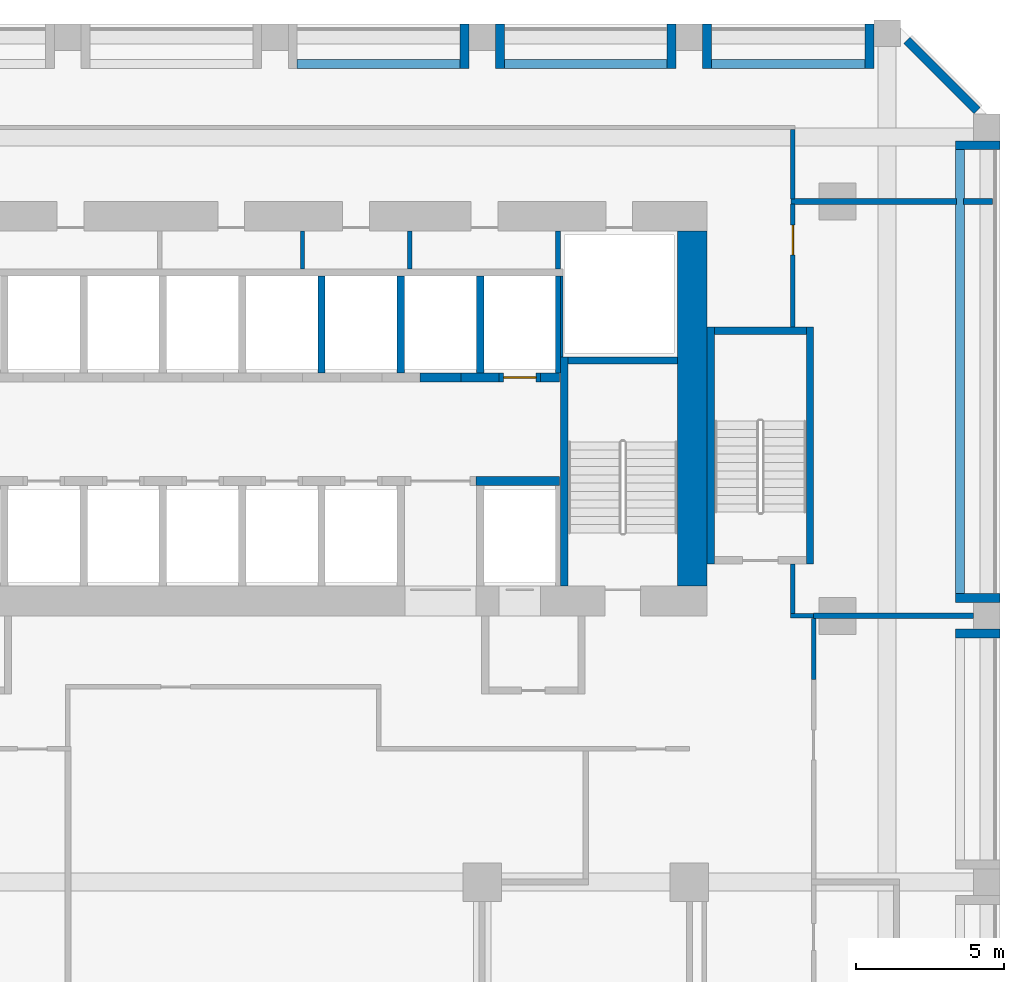
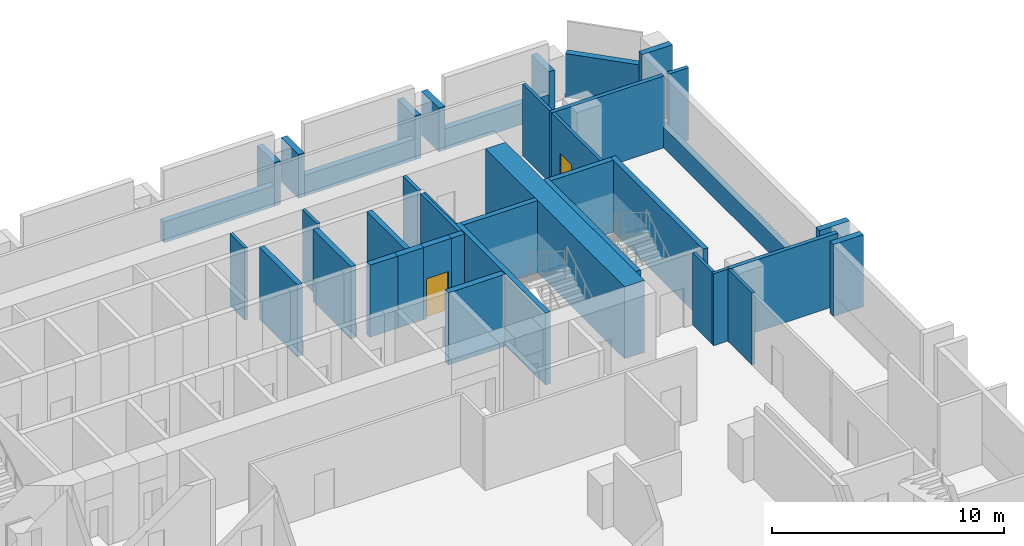
# One storey, part 6 of 10: 40 walls, 2 doors, 2 openings.
"""IFC4 building model written with IfcOpenShell, lengths in metres."""

from ifc_helpers import new_model, si_unit, direction, frame, frame_2d, origin, place, context, subcontext, project, spatial, rectangle, extrude, source, transform, mapped, material, layer, layer_set, type_object, element, fill, save


model = new_model("IFC4")

# Units and contexts
model_context = context("Model", 3, precision=1e-05, world=origin(), true_north=direction((0.0, 1.0)))
body_context = subcontext(model_context, "Body", "Model", "MODEL_VIEW")
ifc_project = project(units=[si_unit("LENGTHUNIT", "METRE"), si_unit("AREAUNIT", "SQUARE_METRE"), si_unit("VOLUMEUNIT", "CUBIC_METRE"), si_unit("PLANEANGLEUNIT", "RADIAN"), si_unit("MASSUNIT", "GRAM", prefix="KILO")], contexts=[model_context])

# Site, building, storey
site_placement = place(None, origin())
site = spatial("IfcSite", under=ifc_project, at=site_placement, CompositionType="ELEMENT")
building_placement = place(site_placement, origin())
building = spatial("IfcBuilding", under=site, at=building_placement, Name="Kilnfold Tower and Market Hall", CompositionType="ELEMENT")
storey_placement = place(building_placement, frame((0.0, 0.0, 59.0)))
storey = spatial("IfcBuildingStorey", under=building, at=storey_placement, Name="L13 Plant Transfer Level", CompositionType="ELEMENT", Elevation=59.0)

# Wall
ifc_material_1 = material(Name="Gypsum board on steel studs", Category="steel")
ifc_layer_1 = layer(ifc_material_1, 0.14990234375)
ifc_layer_set_1 = layer_set([ifc_layer_1], Name="Gypsum board on steel studs")
wall_type_1 = type_object("IfcWallType", Name="WALL CORRIDOR 150", PredefinedType="PARTITIONING", material=ifc_layer_set_1)
wall_1_placement = place(storey_placement, frame((21.701904296875, 5.847900390625, 0.0), z_axis=(0.0, 0.0, 1.0), x_axis=(0.0, 1.0, 0.0)))
element("IfcWall", 1, at=wall_1_placement, inside=storey, type_object=wall_type_1, Name="Partition LY11.11", PredefinedType="PARTITIONING", context=body_context, shape_type="SweptSolid", body=[
    extrude(rectangle(XDim=2.05419921875, YDim=0.14990234375, at=frame_2d((1.027099609375, 0.0))), origin(), (0.0, 0.0, 1.0), 3.800048828125),
])

# Wall, opening, door
wall_2_placement = place(storey_placement, frame((21.0, 17.75, 0.0), z_axis=(0.0, 0.0, 1.0), x_axis=(0.0, 1.0, 0.0)))
wall_2 = element("IfcWall", 2, at=wall_2_placement, inside=storey, type_object=wall_type_1, Name="Partition LY11.13", PredefinedType="PARTITIONING", context=body_context, shape_type="SweptSolid", body=[
    extrude(rectangle(XDim=4.159912109375, YDim=0.14990234375, at=frame_2d((2.080078125, 0.0))), origin(), (0.0, 0.0, 1.0), 3.800048828125),
])
opening_1_placement = place(wall_2_placement, frame((2.448974609375, 0.0, 0.0)))
opening_1 = element("IfcOpeningElement", 3, at=opening_1_placement, cuts=wall_2, Name="Opening D4", PredefinedType="OPENING", context=body_context, shape_type="SweptSolid", body=[
    extrude(rectangle(XDim=1.0, YDim=2.10009765625, at=frame_2d((0.5, 1.050048828125))), frame((0.0, 0.0849609375, 0.0), z_axis=(0.0, -1.0, 0.0), x_axis=(1.0, 0.0, 0.0)), (0.0, 0.0, 1.0), 0.169921875),
])
ifc_material_2 = material(Name="Timber veneer door leaf in steel frame", Category="steel")
door_type_1 = type_object("IfcDoorType", Name="DOOR SERVICE 1000 X2100", OperationType="NOTDEFINED", PredefinedType="DOOR", material=ifc_material_2)
door_1_placement = place(opening_1_placement, origin())
door_1 = element("IfcDoor", 4, at=door_1_placement, inside=storey, type_object=door_type_1, Name="Door D4", OperationType="SINGLE_SWING_LEFT", OverallHeight=2.10009765625, OverallWidth=1.0, PredefinedType="DOOR", context=body_context, shape_type="SweptSolid", body=[
    extrude(rectangle(XDim=1.0, YDim=2.10009765625, at=frame_2d((0.5, 1.050048828125))), frame((0.0, 0.02490234375, 0.0), z_axis=(0.0, -1.0, 0.0), x_axis=(1.0, 0.0, 0.0)), (0.0, 0.0, 1.0), 0.050048828125),
])
fill(opening_1, door_1)

# Walls
wall_3_placement = place(storey_placement, frame((21.0, 8.076904296875, 0.0), z_axis=(0.0, 0.0, 1.0), x_axis=(0.0, 1.0, 0.0)))
element("IfcWall", 5, at=wall_3_placement, inside=storey, type_object=wall_type_1, Name="Partition LY11.14", PredefinedType="PARTITIONING", context=body_context, shape_type="SweptSolid", body=[
    extrude(rectangle(XDim=1.673095703125, YDim=0.14990234375, at=frame_2d((0.83642578125, 0.0))), origin(), (0.0, 0.0, 1.0), 3.800048828125),
])
wall_4_placement = place(storey_placement, frame((21.701904296875, 8.001953125, 0.0), z_axis=(0.0, 0.0, 1.0), x_axis=(-1.0, 0.0, 0.0)))
element("IfcWall", 6, at=wall_4_placement, inside=storey, type_object=wall_type_1, Name="Partition LY11.15", PredefinedType="PARTITIONING", context=body_context, shape_type="SweptSolid", body=[
    extrude(rectangle(XDim=0.77685546875, YDim=0.14990234375, at=frame_2d((0.388427734375, 0.0))), origin(), (0.0, 0.0, 1.0), 3.800048828125),
])
wall_5_placement = place(storey_placement, frame((21.0, 22.090087890625, 0.0), z_axis=(0.0, 0.0, 1.0), x_axis=(0.0, 1.0, 0.0)))
element("IfcWall", 7, at=wall_5_placement, inside=storey, type_object=wall_type_1, Name="Partition LY11.18", PredefinedType="PARTITIONING", context=body_context, shape_type="SweptSolid", body=[
    extrude(rectangle(XDim=2.3349609375, YDim=0.14990234375, at=frame_2d((1.16748046875, 0.0))), origin(), (0.0, 0.0, 1.0), 3.800048828125),
])
ifc_material_3 = material(Name="Gypsum board on steel studs", Category="steel")
ifc_layer_2 = layer(ifc_material_3, 0.199951171875)
ifc_layer_set_2 = layer_set([ifc_layer_2], Name="Gypsum board on steel studs")
wall_type_2 = type_object("IfcWallType", Name="WALL PARTY 200", PredefinedType="PARTITIONING", material=ifc_layer_set_2)
wall_6_placement = place(storey_placement, frame((21.701904296875, 8.0, 0.0), z_axis=(0.0, 0.0, 1.0), x_axis=(1.0, 0.0, 0.0)))
element("IfcWall", 8, at=wall_6_placement, inside=storey, type_object=wall_type_2, Name="Partition LY11.46", PredefinedType="PARTITIONING", context=body_context, shape_type="SweptSolid", body=[
    extrude(rectangle(XDim=5.398193359375, YDim=0.199951171875, at=frame_2d((2.69921875, 0.0))), origin(), (0.0, 0.0, 1.0), 3.800048828125),
])
wall_7_placement = place(storey_placement, frame((27.75, 22.0, 0.0), z_axis=(0.0, 0.0, 1.0), x_axis=(-1.0, 0.0, 0.0)))
element("IfcWall", 9, at=wall_7_placement, inside=storey, type_object=wall_type_2, Name="Partition LY11.47", PredefinedType="PARTITIONING", context=body_context, shape_type="SweptSolid", body=[
    extrude(rectangle(XDim=0.97998046875, YDim=0.199951171875, at=frame_2d((0.489990234375, 0.0))), origin(), (0.0, 0.0, 1.0), 3.800048828125),
])
wall_8_placement = place(storey_placement, frame((26.530029296875, 22.0, 0.0), z_axis=(0.0, 0.0, 1.0), x_axis=(-1.0, 0.0, 0.0)))
element("IfcWall", 10, at=wall_8_placement, inside=storey, type_object=wall_type_2, Name="Partition LY11.48", PredefinedType="PARTITIONING", context=body_context, shape_type="SweptSolid", body=[
    extrude(rectangle(XDim=5.60400390625, YDim=0.199951171875, at=frame_2d((2.802001953125, 0.0))), origin(), (0.0, 0.0, 1.0), 3.800048828125),
])
ifc_material_4 = material(Name="Concrete C80", Category="concrete")
ifc_layer_3 = layer(ifc_material_4, 1.0)
ifc_layer_set_3 = layer_set([ifc_layer_3], Name="Concrete C80")
wall_type_3 = type_object("IfcWallType", Name="CORE WALL 1000 C80", PredefinedType="SHEAR", material=ifc_layer_set_3)
shared_shape_1 = source(origin(), body_context, "Body", "SweptSolid", [
    extrude(rectangle(XDim=12.0, YDim=1.0, at=frame_2d((6.0, 0.0))), origin(), (0.0, 0.0, 1.0), 3.800048828125),
])
wall_9_placement = place(storey_placement, frame((17.60009765625, 9.0, 0.0), z_axis=(0.0, 0.0, 1.0), x_axis=(0.0, 1.0, 0.0)))
element("IfcWall", 11, at=wall_9_placement, inside=storey, type_object=wall_type_3, Name="Core outer wall east", PredefinedType="SHEAR", context=body_context, shape_type="MappedRepresentation", body=[
    mapped(shared_shape_1, transform((0.0, 0.0, 0.0))),
])
ifc_material_5 = material(Name="Concrete C80", Category="concrete")
ifc_layer_4 = layer(ifc_material_5, 0.25)
ifc_layer_set_4 = layer_set([ifc_layer_4], Name="Concrete C80")
wall_type_4 = type_object("IfcWallType", Name="CORE WALL 250 C80", PredefinedType="SHEAR", material=ifc_layer_set_4)
shared_shape_2 = source(origin(), body_context, "Body", "SweptSolid", [
    extrude(rectangle(XDim=7.75, YDim=0.25, at=frame_2d((3.875, 0.0))), origin(), (0.0, 0.0, 1.0), 3.800048828125),
])
wall_10_placement = place(storey_placement, frame((13.27490234375, 9.0, 0.0), z_axis=(0.0, 0.0, 1.0), x_axis=(0.0, 1.0, 0.0)))
element("IfcWall", 12, at=wall_10_placement, inside=storey, type_object=wall_type_4, Name="Stair enclosure ST2", PredefinedType="SHEAR", context=body_context, shape_type="MappedRepresentation", body=[
    mapped(shared_shape_2, transform((0.0, 0.0, 0.0))),
])
shared_shape_3 = source(origin(), body_context, "Body", "SweptSolid", [
    extrude(rectangle(XDim=3.7001953125, YDim=0.25, at=frame_2d((1.85009765625, 0.0))), origin(), (0.0, 0.0, 1.0), 3.800048828125),
])
wall_11_placement = place(storey_placement, frame((13.39990234375, 16.625, 0.0), z_axis=(0.0, 0.0, 1.0), x_axis=(1.0, 0.0, 0.0)))
element("IfcWall", 13, at=wall_11_placement, inside=storey, type_object=wall_type_4, Name="Stair enclosure ST2", PredefinedType="SHEAR", context=body_context, shape_type="MappedRepresentation", body=[
    mapped(shared_shape_3, transform((0.0, 0.0, 0.0))),
])
shared_shape_4 = source(origin(), body_context, "Body", "SweptSolid", [
    extrude(rectangle(XDim=8.0, YDim=0.25, at=frame_2d((4.0, 0.0))), origin(), (0.0, 0.0, 1.0), 3.800048828125),
])
for number, where, z_axis, x_axis, name in (
    (14, (18.22509765625, 9.75, 0.0), (0.0, 0.0, 1.0), (0.0, 1.0, 0.0), "Stair enclosure ST5"),
    (15, (21.574951171875, 9.75, 0.0), (0.0, 0.0, 1.0), (0.0, 1.0, 0.0), "Stair enclosure ST5"),
):
    element("IfcWall", number, at=place(storey_placement, frame(where, z_axis=z_axis, x_axis=x_axis)), inside=storey, type_object=wall_type_4, Name=name, PredefinedType="SHEAR", context=body_context, shape_type="MappedRepresentation", body=[
        mapped(shared_shape_4, transform((0.0, 0.0, 0.0))),
    ])
shared_shape_5 = source(origin(), body_context, "Body", "SweptSolid", [
    extrude(rectangle(XDim=3.099853515625, YDim=0.25, at=frame_2d((1.5498046875, 0.0))), origin(), (0.0, 0.0, 1.0), 3.800048828125),
])
wall_12_placement = place(storey_placement, frame((18.35009765625, 17.625, 0.0), z_axis=(0.0, 0.0, 1.0), x_axis=(1.0, 0.0, 0.0)))
element("IfcWall", 16, at=wall_12_placement, inside=storey, type_object=wall_type_4, Name="Stair enclosure ST5", PredefinedType="SHEAR", context=body_context, shape_type="MappedRepresentation", body=[
    mapped(shared_shape_5, transform((0.0, 0.0, 0.0))),
])
ifc_material_6 = material(Name="Concrete C80", Category="concrete")
ifc_layer_5 = layer(ifc_material_6, 0.300048828125)
ifc_layer_set_5 = layer_set([ifc_layer_5], Name="Concrete C80")
wall_type_5 = type_object("IfcWallType", Name="CORE WALL 300 C80", PredefinedType="SHEAR", material=ifc_layer_set_5)
shared_shape_6 = source(origin(), body_context, "Body", "SweptSolid", [
    extrude(rectangle(XDim=1.280029296875, YDim=0.300048828125, at=frame_2d((0.64013671875, 0.0))), origin(), (0.0, 0.0, 1.0), 3.800048828125),
])
wall_13_placement = place(storey_placement, frame((9.7900390625, 16.050048828125, 0.0), z_axis=(0.0, 0.0, 1.0), x_axis=(1.0, 0.0, 0.0)))
element("IfcWall", 17, at=wall_13_placement, inside=storey, type_object=wall_type_5, Name="Core spine wall", PredefinedType="SHEAR", context=body_context, shape_type="MappedRepresentation", body=[
    mapped(shared_shape_6, transform((0.0, 0.0, 0.0))),
])
shared_shape_7 = source(origin(), body_context, "Body", "SweptSolid", [
    extrude(rectangle(XDim=2.820068359375, YDim=0.300048828125, at=frame_2d((1.41015625, 0.0))), origin(), (0.0, 0.0, 1.0), 3.800048828125),
])
wall_14_placement = place(storey_placement, frame((10.2900390625, 12.550048828125, 0.0), z_axis=(0.0, 0.0, 1.0), x_axis=(1.0, 0.0, 0.0)))
element("IfcWall", 18, at=wall_14_placement, inside=storey, type_object=wall_type_5, Name="Core spine wall", PredefinedType="SHEAR", context=body_context, shape_type="MappedRepresentation", body=[
    mapped(shared_shape_7, transform((0.0, 0.0, 0.0))),
])
shared_shape_8 = source(origin(), body_context, "Body", "SweptSolid", [
    extrude(rectangle(XDim=0.64013671875, YDim=0.300048828125, at=frame_2d((0.320068359375, 0.0))), origin(), (0.0, 0.0, 1.0), 3.800048828125),
])
wall_15_placement = place(storey_placement, frame((12.469970703125, 16.050048828125, 0.0), z_axis=(0.0, 0.0, 1.0), x_axis=(1.0, 0.0, 0.0)))
element("IfcWall", 19, at=wall_15_placement, inside=storey, type_object=wall_type_5, Name="Core spine wall", PredefinedType="SHEAR", context=body_context, shape_type="MappedRepresentation", body=[
    mapped(shared_shape_8, transform((0.0, 0.0, 0.0))),
])
ifc_material_7 = material(Name="Precast concrete C50/60", Category="concrete")
ifc_layer_6 = layer(ifc_material_7, 0.300048828125)
ifc_layer_set_6 = layer_set([ifc_layer_6], Name="Precast concrete C50/60")
wall_type_6 = type_object("IfcWallType", Name="PRECAST WALL 300", PredefinedType="SOLIDWALL", material=ifc_layer_set_6)
shared_shape_9 = source(origin(), body_context, "Body", "SweptSolid", [
    extrude(rectangle(XDim=5.5, YDim=0.300048828125, at=frame_2d((2.75, 0.0))), origin(), (0.0, 0.0, 1.0), 1.10009765625),
])
for number, where, z_axis, x_axis, name in (
    (20, (16.75, 26.64990234375, 0.0), (0.0, 0.0, 1.0), (-1.0, 0.0, 0.0), "Knee wall L13 N"),
    (21, (9.75, 26.64990234375, 0.0), (0.0, 0.0, 1.0), (-1.0, 0.0, 0.0), "Knee wall L13 N"),
):
    element("IfcWall", number, at=place(storey_placement, frame(where, z_axis=z_axis, x_axis=x_axis)), inside=storey, type_object=wall_type_6, Name=name, PredefinedType="SOLIDWALL", context=body_context, shape_type="MappedRepresentation", body=[
        mapped(shared_shape_9, transform((0.0, 0.0, 0.0))),
    ])
shared_shape_10 = source(origin(), body_context, "Body", "SweptSolid", [
    extrude(rectangle(XDim=1.5, YDim=0.300048828125, at=frame_2d((0.75, 0.0))), origin(), (0.0, 0.0, 1.0), 2.300048828125),
])
for number, where, z_axis, x_axis, name in (
    (22, (23.581787109375, 28.0, 0.0), (0.0, 0.0, 1.0), (0.0, -1.0, 0.0), "Plant wall L13 N"),
    (23, (18.10009765625, 28.0, 0.0), (0.0, 0.0, 1.0), (0.0, -1.0, 0.0), "Plant wall L13 N"),
    (24, (16.89990234375, 28.0, 0.0), (0.0, 0.0, 1.0), (0.0, -1.0, 0.0), "Plant wall L13 N"),
    (25, (11.10009765625, 28.0, 0.0), (0.0, 0.0, 1.0), (0.0, -1.0, 0.0), "Plant wall L13 N"),
    (26, (9.89990234375, 28.0, 0.0), (0.0, 0.0, 1.0), (0.0, -1.0, 0.0), "Plant wall L13 N"),
):
    element("IfcWall", number, at=place(storey_placement, frame(where, z_axis=z_axis, x_axis=x_axis)), inside=storey, type_object=wall_type_6, Name=name, PredefinedType="SOLIDWALL", context=body_context, shape_type="MappedRepresentation", body=[
        mapped(shared_shape_10, transform((0.0, 0.0, 0.0))),
    ])
shared_shape_11 = source(origin(), body_context, "Body", "SweptSolid", [
    extrude(rectangle(XDim=3.35888671875, YDim=0.300048828125, at=frame_2d((1.679443359375, 0.0))), origin(), (0.0, 0.0, 1.0), 2.300048828125),
])
wall_16_placement = place(storey_placement, frame((27.218994140625, 25.06884765625, 0.0), z_axis=(0.0, 0.0, 1.0), x_axis=(-0.707070438228, 0.707143122278, 0.0)))
element("IfcWall", 27, at=wall_16_placement, inside=storey, type_object=wall_type_6, Name="Plant wall L13 NE", PredefinedType="SOLIDWALL", context=body_context, shape_type="MappedRepresentation", body=[
    mapped(shared_shape_11, transform((0.0, 0.0, 0.0))),
])
shared_shape_12 = source(origin(), body_context, "Body", "SweptSolid", [
    extrude(rectangle(XDim=1.5, YDim=0.300048828125, at=frame_2d((0.75, 0.0))), origin(), (0.0, 0.0, 1.0), 3.800048828125),
])
for number, where, z_axis, x_axis, name in (
    (28, (28.0, 7.39990234375, 0.0), (0.0, 0.0, 1.0), (-1.0, 0.0, 0.0), "Plant wall L13 E"),
    (29, (28.0, 8.60009765625, 0.0), (0.0, 0.0, 1.0), (-1.0, 0.0, 0.0), "Plant wall L13 E"),
    (30, (28.0, 23.89990234375, 0.0), (0.0, 0.0, 1.0), (-1.0, 0.0, 0.0), "Plant wall L13 E"),
):
    element("IfcWall", number, at=place(storey_placement, frame(where, z_axis=z_axis, x_axis=x_axis)), inside=storey, type_object=wall_type_6, Name=name, PredefinedType="SOLIDWALL", context=body_context, shape_type="MappedRepresentation", body=[
        mapped(shared_shape_12, transform((0.0, 0.0, 0.0))),
    ])
shared_shape_13 = source(origin(), body_context, "Body", "SweptSolid", [
    extrude(rectangle(XDim=15.0, YDim=0.300048828125, at=frame_2d((7.5, 0.0))), origin(), (0.0, 0.0, 1.0), 1.10009765625),
])
wall_17_placement = place(storey_placement, frame((26.64990234375, 8.75, 0.0), z_axis=(0.0, 0.0, 1.0), x_axis=(0.0, 1.0, 0.0)))
element("IfcWall", 31, at=wall_17_placement, inside=storey, type_object=wall_type_6, Name="Knee wall L13 E", PredefinedType="SOLIDWALL", context=body_context, shape_type="MappedRepresentation", body=[
    mapped(shared_shape_13, transform((0.0, 0.0, 0.0))),
])
shared_shape_14 = source(origin(), body_context, "Body", "SweptSolid", [
    extrude(rectangle(XDim=5.181884765625, YDim=0.300048828125, at=frame_2d((2.5908203125, 0.0))), origin(), (0.0, 0.0, 1.0), 1.10009765625),
])
wall_18_placement = place(storey_placement, frame((23.431884765625, 26.64990234375, 0.0), z_axis=(0.0, 0.0, 1.0), x_axis=(-1.0, 0.0, 0.0)))
element("IfcWall", 32, at=wall_18_placement, inside=storey, type_object=wall_type_6, Name="Knee wall L13 N", PredefinedType="SOLIDWALL", context=body_context, shape_type="MappedRepresentation", body=[
    mapped(shared_shape_14, transform((0.0, 0.0, 0.0))),
])

# Wall, opening, door
ifc_material_8 = material(Name="Gypsum shaft wall system")
ifc_layer_7 = layer(ifc_material_8, 0.300048828125)
ifc_layer_set_7 = layer_set([ifc_layer_7], Name="Gypsum shaft wall system")
wall_type_7 = type_object("IfcWallType", Name="SHAFT WALL 300", PredefinedType="PARTITIONING", material=ifc_layer_set_7)
shared_shape_15 = source(origin(), body_context, "Body", "SweptSolid", [
    extrude(rectangle(XDim=1.39990234375, YDim=0.300048828125, at=frame_2d((0.699951171875, 0.0))), origin(), (0.0, 0.0, 1.0), 3.800048828125),
])
wall_19_placement = place(storey_placement, frame((11.070068359375, 16.050048828125, 0.0), z_axis=(0.0, 0.0, 1.0), x_axis=(1.0, 0.0, 0.0)))
wall_19 = element("IfcWall", 33, at=wall_19_placement, inside=storey, type_object=wall_type_7, Name="Lift shaft front wall", PredefinedType="PARTITIONING", context=body_context, shape_type="MappedRepresentation", body=[
    mapped(shared_shape_15, transform((0.0, 0.0, 0.0))),
])
opening_2_placement = place(wall_19_placement, frame((0.14990234375, 0.0, 0.0)))
opening_2 = element("IfcOpeningElement", 34, at=opening_2_placement, cuts=wall_19, Name="Opening LD2", PredefinedType="OPENING", context=body_context, shape_type="SweptSolid", body=[
    extrude(rectangle(XDim=1.10009765625, YDim=2.10009765625, at=frame_2d((0.550048828125, 1.050048828125))), frame((0.0, 0.16015625, 0.0), z_axis=(0.0, -1.0, 0.0), x_axis=(1.0, 0.0, 0.0)), (0.0, 0.0, 1.0), 0.320068359375),
])
ifc_material_9 = material(Name="Steel door set with fire-resisting leaf", Category="steel")
door_type_2 = type_object("IfcDoorType", Name="LANDING DOOR 1100X2100", OperationType="NOTDEFINED", PredefinedType="DOOR", material=ifc_material_9)
door_2_placement = place(opening_2_placement, origin())
door_2 = element("IfcDoor", 35, at=door_2_placement, inside=storey, type_object=door_type_2, Name="Landing door LR6", OperationType="DOUBLE_DOOR_SLIDING", OverallHeight=2.10009765625, OverallWidth=1.10009765625, PredefinedType="DOOR", context=body_context, shape_type="SweptSolid", body=[
    extrude(rectangle(XDim=1.10009765625, YDim=2.10009765625, at=frame_2d((0.550048828125, 1.050048828125))), frame((0.0, 0.02490234375, 0.0), z_axis=(0.0, -1.0, 0.0), x_axis=(1.0, 0.0, 0.0)), (0.0, 0.0, 1.0), 0.050048828125),
])
fill(opening_2, door_2)

# Walls
shared_shape_16 = source(origin(), body_context, "Body", "SweptSolid", [
    extrude(rectangle(XDim=1.400146484375, YDim=0.300048828125, at=frame_2d((0.7001953125, 0.0))), origin(), (0.0, 0.0, 1.0), 3.800048828125),
])
wall_20_placement = place(storey_placement, frame((8.389892578125, 16.050048828125, 0.0), z_axis=(0.0, 0.0, 1.0), x_axis=(1.0, 0.0, 0.0)))
element("IfcWall", 36, at=wall_20_placement, inside=storey, type_object=wall_type_7, Name="Lift shaft front wall", PredefinedType="PARTITIONING", context=body_context, shape_type="MappedRepresentation", body=[
    mapped(shared_shape_16, transform((0.0, 0.0, 0.0))),
])
ifc_material_10 = material(Name="Gypsum shaft wall system")
ifc_layer_8 = layer(ifc_material_10, 0.1650390625)
ifc_layer_set_8 = layer_set([ifc_layer_8], Name="Gypsum shaft wall system")
wall_type_8 = type_object("IfcWallType", Name="SHAFT WALL 165", PredefinedType="PARTITIONING", material=ifc_layer_set_8)
shared_shape_17 = source(origin(), body_context, "Body", "SweptSolid", [
    extrude(rectangle(XDim=3.275146484375, YDim=0.1650390625, at=frame_2d((1.6376953125, 0.0))), origin(), (0.0, 0.0, 1.0), 3.800048828125),
])
wall_21_placement = place(storey_placement, frame((13.0673828125, 16.199951171875, 0.0), z_axis=(0.0, 0.0, 1.0), x_axis=(0.0, 1.0, 0.0)))
element("IfcWall", 37, at=wall_21_placement, inside=storey, type_object=wall_type_8, Name="Lift shaft wall", PredefinedType="PARTITIONING", context=body_context, shape_type="MappedRepresentation", body=[
    mapped(shared_shape_17, transform((0.0, 0.0, 0.0))),
])
shared_shape_18 = source(origin(), body_context, "Body", "SweptSolid", [
    extrude(rectangle(XDim=1.27490234375, YDim=0.1650390625, at=frame_2d((0.637451171875, 0.0))), origin(), (0.0, 0.0, 1.0), 3.800048828125),
])
wall_22_placement = place(storey_placement, frame((13.0673828125, 19.72509765625, 0.0), z_axis=(0.0, 0.0, 1.0), x_axis=(0.0, 1.0, 0.0)))
element("IfcWall", 38, at=wall_22_placement, inside=storey, type_object=wall_type_8, Name="Lift shaft wall", PredefinedType="PARTITIONING", context=body_context, shape_type="MappedRepresentation", body=[
    mapped(shared_shape_18, transform((0.0, 0.0, 0.0))),
])
ifc_material_11 = material(Name="Gypsum shaft wall system")
ifc_layer_9 = layer(ifc_material_11, 0.25)
ifc_layer_set_9 = layer_set([ifc_layer_9], Name="Gypsum shaft wall system")
wall_type_9 = type_object("IfcWallType", Name="SHAFT WALL 250", PredefinedType="PARTITIONING", material=ifc_layer_set_9)
shared_shape_19 = source(origin(), body_context, "Body", "SweptSolid", [
    extrude(rectangle(XDim=3.275146484375, YDim=0.25, at=frame_2d((1.6376953125, 0.0))), origin(), (0.0, 0.0, 1.0), 3.800048828125),
])
for number, where, z_axis, x_axis, name in (
    (39, (10.429931640625, 16.199951171875, 0.0), (0.0, 0.0, 1.0), (0.0, 1.0, 0.0), "Lift shaft wall"),
    (40, (5.070068359375, 16.199951171875, 0.0), (0.0, 0.0, 1.0), (0.0, 1.0, 0.0), "Lift shaft wall"),
    (41, (7.75, 16.199951171875, 0.0), (0.0, 0.0, 1.0), (0.0, 1.0, 0.0), "Lift shaft wall"),
):
    element("IfcWall", number, at=place(storey_placement, frame(where, z_axis=z_axis, x_axis=x_axis)), inside=storey, type_object=wall_type_9, Name=name, PredefinedType="PARTITIONING", context=body_context, shape_type="MappedRepresentation", body=[
        mapped(shared_shape_19, transform((0.0, 0.0, 0.0))),
    ])
ifc_material_12 = material(Name="Gypsum shaft wall system")
ifc_layer_10 = layer(ifc_material_12, 0.0849609375)
ifc_layer_set_10 = layer_set([ifc_layer_10], Name="Gypsum shaft wall system")
wall_type_10 = type_object("IfcWallType", Name="SHAFT WALL 85", PredefinedType="PARTITIONING", material=ifc_layer_set_10)
shared_shape_20 = source(origin(), body_context, "Body", "SweptSolid", [
    extrude(rectangle(XDim=2.72509765625, YDim=0.0849609375, at=frame_2d((1.362548828125, 0.0))), origin(), (0.0, 0.0, 1.0), 3.800048828125),
])
wall_23_placement = place(storey_placement, frame((13.1923828125, 16.75, 0.0), z_axis=(0.0, 0.0, 1.0), x_axis=(0.0, 1.0, 0.0)))
element("IfcWall", 42, at=wall_23_placement, inside=storey, type_object=wall_type_10, Name="Lift shaft wall", PredefinedType="PARTITIONING", context=body_context, shape_type="MappedRepresentation", body=[
    mapped(shared_shape_20, transform((0.0, 0.0, 0.0))),
])
ifc_material_13 = material(Name="Gypsum shaft wall system")
ifc_layer_11 = layer(ifc_material_13, 0.14990234375)
ifc_layer_set_11 = layer_set([ifc_layer_11], Name="Gypsum shaft wall system")
wall_type_11 = type_object("IfcWallType", Name="ROOM WALL 150", PredefinedType="PARTITIONING", material=ifc_layer_set_11)
shared_shape_21 = source(origin(), body_context, "Body", "SweptSolid", [
    extrude(rectangle(XDim=1.27490234375, YDim=0.14990234375, at=frame_2d((0.637451171875, 0.0))), origin(), (0.0, 0.0, 1.0), 3.800048828125),
])
for number, where, z_axis, x_axis, name in (
    (43, (4.4267578125, 19.72509765625, 0.0), (0.0, 0.0, 1.0), (0.0, 1.0, 0.0), "Core room wall"),
    (44, (8.044921875, 19.72509765625, 0.0), (0.0, 0.0, 1.0), (0.0, 1.0, 0.0), "Core room wall"),
):
    element("IfcWall", number, at=place(storey_placement, frame(where, z_axis=z_axis, x_axis=x_axis)), inside=storey, type_object=wall_type_11, Name=name, PredefinedType="PARTITIONING", context=body_context, shape_type="MappedRepresentation", body=[
        mapped(shared_shape_21, transform((0.0, 0.0, 0.0))),
    ])

save(model, "model.ifc")
